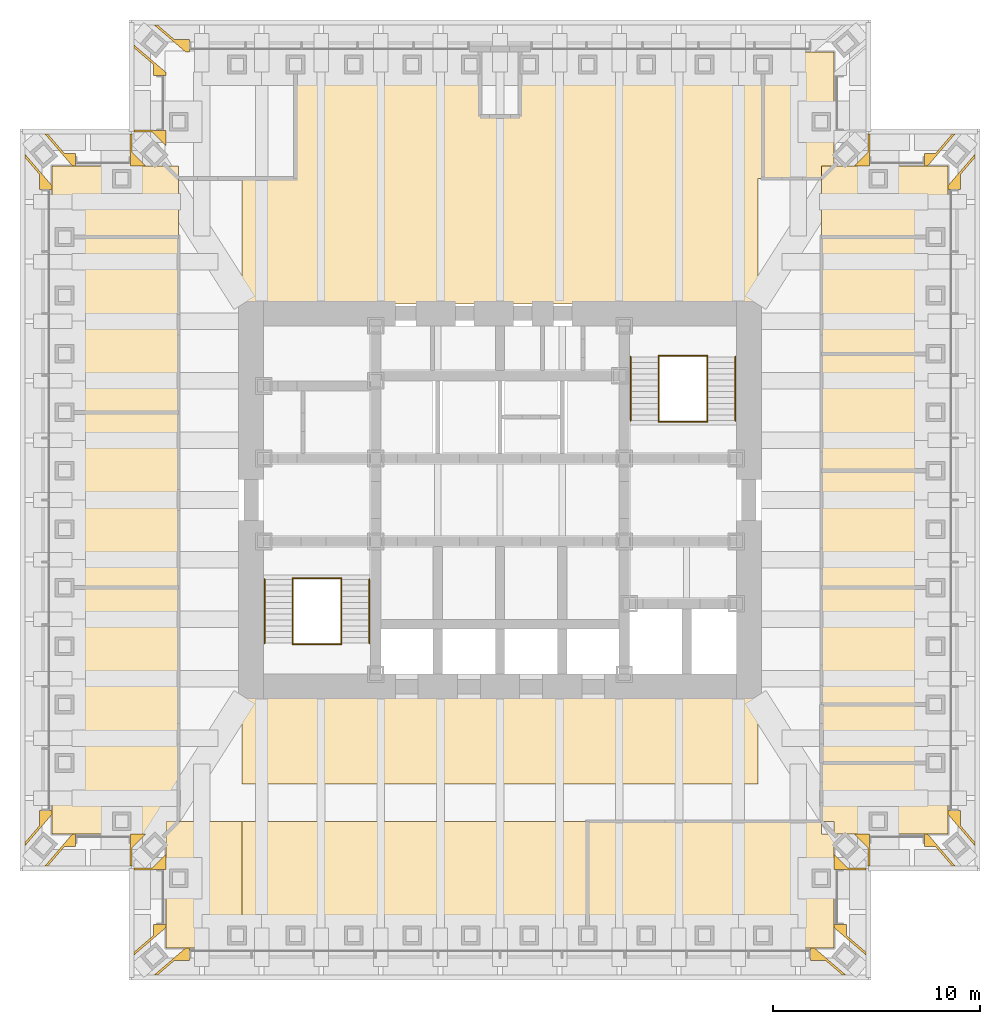
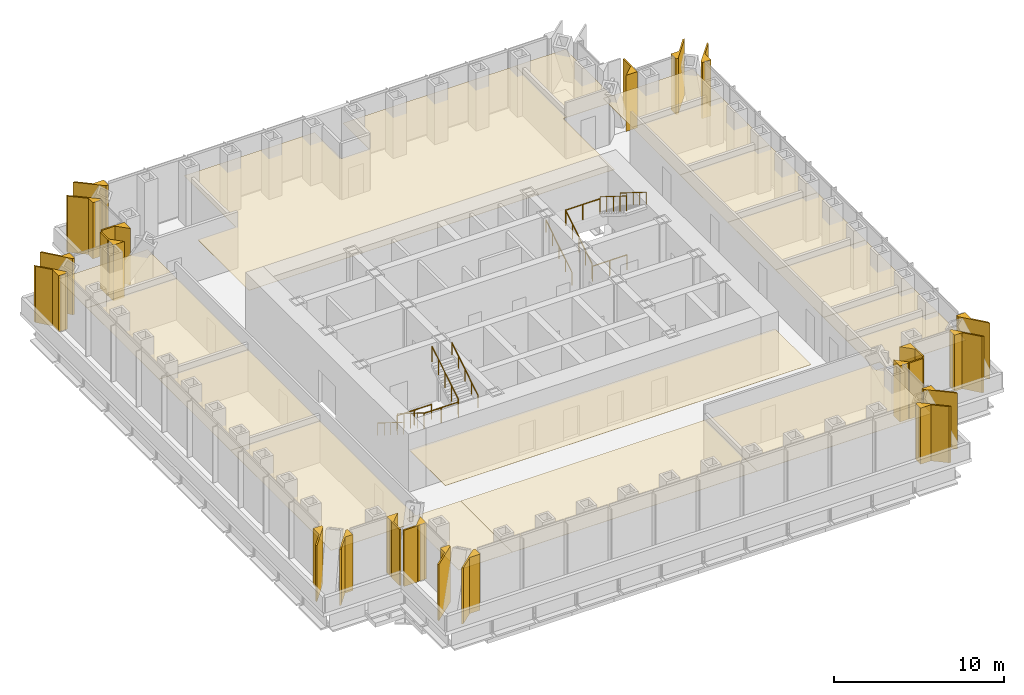
# One storey, part 11 of 12: 38 coverings, 12 railings.
"""IFC4 building model written with IfcOpenShell, lengths in metres."""

from ifc_helpers import new_model, si_unit, direction, frame, origin, origin_2d, place, context, subcontext, project, spatial, polyline, circle, outline, extrude, material, layer, layer_set, type_object, element, save


model = new_model("IFC4")

# Units and contexts
model_context = context("Model", 3, precision=1e-05, world=origin(), true_north=direction((0.0, 1.0)))
body_context = subcontext(model_context, "Body", "Model", "MODEL_VIEW")
ifc_project = project(units=[si_unit("LENGTHUNIT", "METRE"), si_unit("AREAUNIT", "SQUARE_METRE"), si_unit("VOLUMEUNIT", "CUBIC_METRE"), si_unit("PLANEANGLEUNIT", "RADIAN"), si_unit("MASSUNIT", "GRAM", prefix="KILO")], contexts=[model_context])

# Site, building, storey
site_placement = place(None, origin())
site = spatial("IfcSite", under=ifc_project, at=site_placement, CompositionType="ELEMENT")
building_placement = place(site_placement, origin())
building = spatial("IfcBuilding", under=site, at=building_placement, Name="Daluyong Arena Tower", CompositionType="ELEMENT")
storey_placement = place(building_placement, frame((0.0, 0.0, 181.300048828125)))
storey = spatial("IfcBuildingStorey", under=building, at=storey_placement, Name="L40", CompositionType="ELEMENT", Elevation=181.300048828125)

# Coverings
ifc_material_1 = material(Name="Mineral fibre ceiling tile", Category="gypsum board")
ifc_layer_1 = layer(ifc_material_1, 0.02001953125)
ifc_layer_set_1 = layer_set([ifc_layer_1], Name="Mineral fibre ceiling tile")
covering_type_1 = type_object("IfcCoveringType", Name="Office ceiling", PredefinedType="CEILING", material=ifc_layer_set_1)
covering_1_placement = place(storey_placement, frame((0.0, 0.0, 2.89990234375)))
element("IfcCovering", 1, at=covering_1_placement, inside=storey, type_object=covering_type_1, Name="ceiling L40-01", PredefinedType="CEILING", context=body_context, shape_type="SweptSolid", body=[
    extrude(outline(polyline([(72.10009765625, 58.39990234375), (72.10009765625, 63.89990234375), (71.5, 63.89990234375), (71.5, 64.5), (60.227294921875, 64.5), (60.227294921875, 58.39990234375), (72.10009765625, 58.39990234375)])), origin(), (0.0, 0.0, 1.0), 0.02001953125),
])
covering_2_placement = place(storey_placement, frame((0.0, 0.0, 2.89990234375)))
element("IfcCovering", 2, at=covering_2_placement, inside=storey, type_object=covering_type_1, Name="ceiling L40-02", PredefinedType="CEILING", context=body_context, shape_type="SweptSolid", body=[
    extrude(outline(polyline([(72.10009765625, 63.89990234375), (77.60009765625, 63.89990234375), (77.60009765625, 67.318115234375), (71.5, 67.318115234375), (71.5, 64.5), (72.10009765625, 64.5), (72.10009765625, 63.89990234375)])), origin(), (0.0, 0.0, 1.0), 0.02001953125),
])
covering_3_placement = place(storey_placement, frame((0.0, 0.0, 2.89990234375)))
element("IfcCovering", 3, at=covering_3_placement, inside=storey, type_object=covering_type_1, Name="ceiling L40-03", PredefinedType="CEILING", context=body_context, shape_type="SweptSolid", body=[
    extrude(outline(polyline([(71.5, 67.318115234375), (77.60009765625, 67.318115234375), (77.60009765625, 70.136474609375), (71.5, 70.136474609375), (71.5, 67.318115234375)])), origin(), (0.0, 0.0, 1.0), 0.02001953125),
])
covering_4_placement = place(storey_placement, frame((0.0, 0.0, 2.89990234375)))
element("IfcCovering", 4, at=covering_4_placement, inside=storey, type_object=covering_type_1, Name="ceiling L40-04", PredefinedType="CEILING", context=body_context, shape_type="SweptSolid", body=[
    extrude(outline(polyline([(71.5, 70.136474609375), (77.60009765625, 70.136474609375), (77.60009765625, 75.772705078125), (71.5, 75.772705078125), (71.5, 70.136474609375)])), origin(), (0.0, 0.0, 1.0), 0.02001953125),
])
covering_5_placement = place(storey_placement, frame((0.0, 0.0, 2.89990234375)))
element("IfcCovering", 5, at=covering_5_placement, inside=storey, type_object=covering_type_1, Name="ceiling L40-05", PredefinedType="CEILING", context=body_context, shape_type="SweptSolid", body=[
    extrude(outline(polyline([(71.5, 75.772705078125), (77.60009765625, 75.772705078125), (77.60009765625, 81.4091796875), (71.5, 81.4091796875), (71.5, 75.772705078125)])), origin(), (0.0, 0.0, 1.0), 0.02001953125),
])
covering_6_placement = place(storey_placement, frame((0.0, 0.0, 2.89990234375)))
element("IfcCovering", 6, at=covering_6_placement, inside=storey, type_object=covering_type_1, Name="ceiling L40-06", PredefinedType="CEILING", context=body_context, shape_type="SweptSolid", body=[
    extrude(outline(polyline([(71.5, 81.4091796875), (77.60009765625, 81.4091796875), (77.60009765625, 87.04541015625), (71.5, 87.04541015625), (71.5, 81.4091796875)])), origin(), (0.0, 0.0, 1.0), 0.02001953125),
])
covering_7_placement = place(storey_placement, frame((0.0, 0.0, 2.89990234375)))
element("IfcCovering", 7, at=covering_7_placement, inside=storey, type_object=covering_type_1, Name="ceiling L40-07", PredefinedType="CEILING", context=body_context, shape_type="SweptSolid", body=[
    extrude(outline(polyline([(71.5, 87.04541015625), (77.60009765625, 87.04541015625), (77.60009765625, 92.681884765625), (71.5, 92.681884765625), (71.5, 87.04541015625)])), origin(), (0.0, 0.0, 1.0), 0.02001953125),
])
covering_8_placement = place(storey_placement, frame((0.0, 0.0, 2.89990234375)))
element("IfcCovering", 8, at=covering_8_placement, inside=storey, type_object=covering_type_1, Name="ceiling L40-09", PredefinedType="CEILING", context=body_context, shape_type="SweptSolid", body=[
    extrude(outline(polyline([(68.681884765625, 95.5), (71.5, 95.5), (71.5, 96.10009765625), (72.10009765625, 96.10009765625), (72.10009765625, 101.60009765625), (68.681884765625, 101.60009765625), (68.681884765625, 95.5)])), origin(), (0.0, 0.0, 1.0), 0.02001953125),
])
covering_9_placement = place(storey_placement, frame((0.0, 0.0, 2.89990234375)))
element("IfcCovering", 9, at=covering_9_placement, inside=storey, type_object=covering_type_1, Name="ceiling L40-10", PredefinedType="CEILING", context=body_context, shape_type="SweptSolid", body=[
    extrude(outline(polyline([(34.39990234375, 63.89990234375), (39.89990234375, 63.89990234375), (39.89990234375, 64.5), (40.5, 64.5), (40.5, 75.772705078125), (34.39990234375, 75.772705078125), (34.39990234375, 63.89990234375)])), origin(), (0.0, 0.0, 1.0), 0.02001953125),
])
covering_10_placement = place(storey_placement, frame((0.0, 0.0, 2.89990234375)))
element("IfcCovering", 10, at=covering_10_placement, inside=storey, type_object=covering_type_1, Name="ceiling L40-11", PredefinedType="CEILING", context=body_context, shape_type="SweptSolid", body=[
    extrude(outline(polyline([(40.5, 84.227294921875), (34.39990234375, 84.227294921875), (34.39990234375, 75.772705078125), (40.5, 75.772705078125), (40.5, 84.227294921875)])), origin(), (0.0, 0.0, 1.0), 0.02001953125),
])
covering_11_placement = place(storey_placement, frame((0.0, 0.0, 2.89990234375)))
element("IfcCovering", 11, at=covering_11_placement, inside=storey, type_object=covering_type_1, Name="ceiling L40-12", PredefinedType="CEILING", context=body_context, shape_type="SweptSolid", body=[
    extrude(outline(polyline([(40.5, 92.681884765625), (34.39990234375, 92.681884765625), (34.39990234375, 84.227294921875), (40.5, 84.227294921875), (40.5, 92.681884765625)])), origin(), (0.0, 0.0, 1.0), 0.02001953125),
])
covering_12_placement = place(storey_placement, frame((0.0, 0.0, 2.89990234375)))
element("IfcCovering", 12, at=covering_12_placement, inside=storey, type_object=covering_type_1, Name="ceiling L40-16", PredefinedType="CEILING", context=body_context, shape_type="SweptSolid", body=[
    extrude(outline(polyline([(43.550048828125, 58.39990234375), (60.227294921875, 58.39990234375), (60.227294921875, 64.5), (43.550048828125, 64.5), (43.550048828125, 58.39990234375)])), origin(), (0.0, 0.0, 1.0), 0.02001953125),
])
covering_13_placement = place(storey_placement, frame((0.0, 0.0, 2.89990234375)))
element("IfcCovering", 13, at=covering_13_placement, inside=storey, type_object=covering_type_1, Name="ceiling L40-17", PredefinedType="CEILING", context=body_context, shape_type="SweptSolid", body=[
    extrude(outline(polyline([(68.449951171875, 70.550048828125), (43.550048828125, 70.550048828125), (43.550048828125, 66.300048828125), (68.449951171875, 66.300048828125), (68.449951171875, 70.550048828125)])), origin(), (0.0, 0.0, 1.0), 0.02001953125),
])
covering_14_placement = place(storey_placement, frame((0.0, 0.0, 2.89990234375)))
element("IfcCovering", 14, at=covering_14_placement, inside=storey, type_object=covering_type_1, Name="ceiling L40-18", PredefinedType="CEILING", context=body_context, shape_type="SweptSolid", body=[
    extrude(outline(polyline([(77.60009765625, 96.10009765625), (71.5, 96.10009765625), (71.5, 92.681884765625), (77.60009765625, 92.681884765625), (77.60009765625, 96.10009765625)])), origin(), (0.0, 0.0, 1.0), 0.02001953125),
])
covering_15_placement = place(storey_placement, frame((0.0, 0.0, 2.89990234375)))
element("IfcCovering", 15, at=covering_15_placement, inside=storey, type_object=covering_type_1, Name="ceiling L40-19", PredefinedType="CEILING", context=body_context, shape_type="SweptSolid", body=[
    extrude(outline(polyline([(43.56005859375, 95.489990234375), (43.56005859375, 89.4599609375), (68.43994140625, 89.4599609375), (68.43994140625, 95.5), (68.681884765625, 95.500244140625), (68.681884765625, 101.60009765625), (68.4501953125, 101.60009765625), (68.449462890625, 101.590087890625), (56.958984375, 101.590087890625), (56.958984375, 98.5), (55.041015625, 98.5), (55.041015625, 101.590087890625), (46.146484375, 101.590087890625), (46.146484375, 95.489990234375), (43.56005859375, 95.489990234375)])), origin(), (0.0, 0.0, 1.0), 0.02001953125),
])
covering_16_placement = place(storey_placement, frame((0.0, 0.0, 2.89990234375)))
element("IfcCovering", 16, at=covering_16_placement, inside=storey, type_object=covering_type_1, Name="ceiling L40-20", PredefinedType="CEILING", context=body_context, shape_type="SweptSolid", body=[
    extrude(outline(polyline([(40.5, 92.681884765625), (40.5, 96.10009765625), (34.39990234375, 96.10009765625), (34.39990234375, 92.681884765625), (40.5, 92.681884765625)])), origin(), (0.0, 0.0, 1.0), 0.02001953125),
])
covering_17_placement = place(storey_placement, frame((0.0, 0.0, 2.89990234375)))
element("IfcCovering", 17, at=covering_17_placement, inside=storey, type_object=covering_type_1, Name="ceiling L40-21", PredefinedType="CEILING", context=body_context, shape_type="SweptSolid", body=[
    extrude(outline(polyline([(39.89990234375, 58.39990234375), (43.550048828125, 58.39990234375), (43.550048828125, 64.5), (39.89990234375, 64.5), (39.89990234375, 58.39990234375)])), origin(), (0.0, 0.0, 1.0), 0.02001953125),
])

# Railings
ifc_material_2 = material(Name="Stainless steel handrail", Category="steel")
railing_type_1 = type_object("IfcRailingType", Name="Stair handrail", PredefinedType="HANDRAIL", material=ifc_material_2)
railing_1_placement = place(storey_placement, frame((44.64990234375, 76.175048828125, 0.175048828125)))
element("IfcRailing", 18, at=railing_1_placement, inside=storey, type_object=railing_type_1, Name="exit stair A handrail L40", PredefinedType="HANDRAIL", context=body_context, shape_type="SweptSolid", body=[
    extrude(circle(Radius=0.02392578125, at=origin_2d()), frame((0.0, 0.0, 0.8759765625), z_axis=(0.0, -0.848028513186, 0.529950602248), x_axis=(1.0, 0.0, 0.0)), (0.0, 0.0, 1.0), 3.632080078125),
    extrude(circle(Radius=0.02099609375, at=origin_2d()), origin(), (0.0, 0.0, 1.0), 0.851806640625),
    extrude(circle(Radius=0.02099609375, at=origin_2d()), frame((0.0, -0.77001953125, 0.481201171875)), (0.0, 0.0, 1.0), 0.851806640625),
    extrude(circle(Radius=0.02099609375, at=origin_2d()), frame((0.0, -1.5400390625, 0.96240234375)), (0.0, 0.0, 1.0), 0.851806640625),
    extrude(circle(Radius=0.02099609375, at=origin_2d()), frame((0.0, -2.31005859375, 1.443603515625)), (0.0, 0.0, 1.0), 0.851806640625),
    extrude(circle(Radius=0.02099609375, at=origin_2d()), frame((0.0, -3.080078125, 1.9248046875)), (0.0, 0.0, 1.0), 0.851806640625),
])
railing_2_placement = place(storey_placement, frame((49.699951171875, 73.094970703125, 2.27490234375)))
element("IfcRailing", 19, at=railing_2_placement, inside=storey, type_object=railing_type_1, Name="exit stair A handrail L40", PredefinedType="HANDRAIL", context=body_context, shape_type="SweptSolid", body=[
    extrude(circle(Radius=0.02392578125, at=origin_2d()), frame((0.0, 0.0, 0.8759765625), z_axis=(0.0, 0.847998304005, 0.529998940003), x_axis=(-1.0, 0.0, 0.0)), (0.0, 0.0, 1.0), 3.632080078125),
    extrude(circle(Radius=0.02099609375, at=origin_2d()), origin(), (0.0, 0.0, 1.0), 0.851806640625),
    extrude(circle(Radius=0.02099609375, at=origin_2d()), frame((0.0, 0.77001953125, 0.481201171875)), (0.0, 0.0, 1.0), 0.851806640625),
    extrude(circle(Radius=0.02099609375, at=origin_2d()), frame((0.0, 1.5400390625, 0.96240234375)), (0.0, 0.0, 1.0), 0.851806640625),
    extrude(circle(Radius=0.02099609375, at=origin_2d()), frame((0.0, 2.31005859375, 1.44384765625)), (0.0, 0.0, 1.0), 0.851806640625),
    extrude(circle(Radius=0.02099609375, at=origin_2d()), frame((0.0, 3.080078125, 1.925048828125)), (0.0, 0.0, 1.0), 0.851806640625),
])
railing_3_placement = place(storey_placement, frame((62.300048828125, 83.824951171875, 0.175048828125)))
element("IfcRailing", 20, at=railing_3_placement, inside=storey, type_object=railing_type_1, Name="exit stair B handrail L40", PredefinedType="HANDRAIL", context=body_context, shape_type="SweptSolid", body=[
    extrude(circle(Radius=0.02392578125, at=origin_2d()), frame((0.0, 0.0, 0.8759765625), z_axis=(0.0, 0.848028513186, 0.529950602248), x_axis=(-1.0, 0.0, 0.0)), (0.0, 0.0, 1.0), 3.632080078125),
    extrude(circle(Radius=0.02099609375, at=origin_2d()), origin(), (0.0, 0.0, 1.0), 0.851806640625),
    extrude(circle(Radius=0.02099609375, at=origin_2d()), frame((0.0, 0.77001953125, 0.481201171875)), (0.0, 0.0, 1.0), 0.851806640625),
    extrude(circle(Radius=0.02099609375, at=origin_2d()), frame((0.0, 1.5400390625, 0.96240234375)), (0.0, 0.0, 1.0), 0.851806640625),
    extrude(circle(Radius=0.02099609375, at=origin_2d()), frame((0.0, 2.31005859375, 1.443603515625)), (0.0, 0.0, 1.0), 0.851806640625),
    extrude(circle(Radius=0.02099609375, at=origin_2d()), frame((0.0, 3.080078125, 1.9248046875)), (0.0, 0.0, 1.0), 0.851806640625),
])
railing_4_placement = place(storey_placement, frame((67.35009765625, 86.905029296875, 2.27490234375)))
element("IfcRailing", 21, at=railing_4_placement, inside=storey, type_object=railing_type_1, Name="exit stair B handrail L40", PredefinedType="HANDRAIL", context=body_context, shape_type="SweptSolid", body=[
    extrude(circle(Radius=0.02392578125, at=origin_2d()), frame((0.0, 0.0, 0.8759765625), z_axis=(0.0, -0.847998304005, 0.529998940003), x_axis=(1.0, 0.0, 0.0)), (0.0, 0.0, 1.0), 3.632080078125),
    extrude(circle(Radius=0.02099609375, at=origin_2d()), origin(), (0.0, 0.0, 1.0), 0.851806640625),
    extrude(circle(Radius=0.02099609375, at=origin_2d()), frame((0.0, -0.77001953125, 0.481201171875)), (0.0, 0.0, 1.0), 0.851806640625),
    extrude(circle(Radius=0.02099609375, at=origin_2d()), frame((0.0, -1.5400390625, 0.96240234375)), (0.0, 0.0, 1.0), 0.851806640625),
    extrude(circle(Radius=0.02099609375, at=origin_2d()), frame((0.0, -2.31005859375, 1.44384765625)), (0.0, 0.0, 1.0), 0.851806640625),
    extrude(circle(Radius=0.02099609375, at=origin_2d()), frame((0.0, -3.080078125, 1.925048828125)), (0.0, 0.0, 1.0), 0.851806640625),
])
ifc_material_3 = material(Name="Steel balustrade", Category="steel")
railing_type_2 = type_object("IfcRailingType", Name="Stair well guard 1100", PredefinedType="GUARDRAIL", material=ifc_material_3)
railing_5_placement = place(storey_placement, frame((46.0, 76.175048828125, 0.175048828125)))
element("IfcRailing", 22, at=railing_5_placement, inside=storey, type_object=railing_type_2, Name="exit stair A well guard L40", PredefinedType="GUARDRAIL", context=body_context, shape_type="SweptSolid", body=[
    extrude(circle(Radius=0.02392578125, at=origin_2d()), frame((0.0, 0.0, 1.076171875), z_axis=(0.0, -0.848028513186, 0.529950602248), x_axis=(1.0, 0.0, 0.0)), (0.0, 0.0, 1.0), 3.632080078125),
    extrude(circle(Radius=0.02099609375, at=origin_2d()), origin(), (0.0, 0.0, 1.0), 1.052001953125),
    extrude(circle(Radius=0.02099609375, at=origin_2d()), frame((0.0, -0.77001953125, 0.481201171875)), (0.0, 0.0, 1.0), 1.052001953125),
    extrude(circle(Radius=0.02099609375, at=origin_2d()), frame((0.0, -1.5400390625, 0.96240234375)), (0.0, 0.0, 1.0), 1.052001953125),
    extrude(circle(Radius=0.02099609375, at=origin_2d()), frame((0.0, -2.31005859375, 1.443603515625)), (0.0, 0.0, 1.0), 1.052001953125),
    extrude(circle(Radius=0.02099609375, at=origin_2d()), frame((0.0, -3.080078125, 1.9248046875)), (0.0, 0.0, 1.0), 1.052001953125),
])
railing_6_placement = place(storey_placement, frame((48.35009765625, 73.094970703125, 2.27490234375)))
element("IfcRailing", 23, at=railing_6_placement, inside=storey, type_object=railing_type_2, Name="exit stair A well guard L40", PredefinedType="GUARDRAIL", context=body_context, shape_type="SweptSolid", body=[
    extrude(circle(Radius=0.02392578125, at=origin_2d()), frame((0.0, 0.0, 1.076171875), z_axis=(0.0, 0.847998304005, 0.529998940003), x_axis=(-1.0, 0.0, 0.0)), (0.0, 0.0, 1.0), 3.632080078125),
    extrude(circle(Radius=0.02099609375, at=origin_2d()), origin(), (0.0, 0.0, 1.0), 1.052001953125),
    extrude(circle(Radius=0.02099609375, at=origin_2d()), frame((0.0, 0.77001953125, 0.481201171875)), (0.0, 0.0, 1.0), 1.052001953125),
    extrude(circle(Radius=0.02099609375, at=origin_2d()), frame((0.0, 1.5400390625, 0.96240234375)), (0.0, 0.0, 1.0), 1.052001953125),
    extrude(circle(Radius=0.02099609375, at=origin_2d()), frame((0.0, 2.31005859375, 1.44384765625)), (0.0, 0.0, 1.0), 1.052001953125),
    extrude(circle(Radius=0.02099609375, at=origin_2d()), frame((0.0, 3.080078125, 1.925048828125)), (0.0, 0.0, 1.0), 1.052001953125),
])
for number, where, name in (
    (24, (46.0, 73.044921875, 2.099853515625), "exit stair A landing guard L40"),
    (25, (46.0, 76.22509765625, 0.0), "exit stair A floor landing guard L40"),
):
    element("IfcRailing", number, at=place(storey_placement, frame(where)), inside=storey, type_object=railing_type_2, Name=name, PredefinedType="GUARDRAIL", context=body_context, shape_type="SweptSolid", body=[
        extrude(circle(Radius=0.02392578125, at=origin_2d()), frame((0.0, 0.0, 1.076171875), z_axis=(1.0, 0.0, 0.0), x_axis=(0.0, 1.0, 0.0)), (0.0, 0.0, 1.0), 2.35009765625),
        extrude(circle(Radius=0.02099609375, at=origin_2d()), origin(), (0.0, 0.0, 1.0), 1.052001953125),
        extrude(circle(Radius=0.02099609375, at=origin_2d()), frame((1.175048828125, 0.0, 0.0)), (0.0, 0.0, 1.0), 1.052001953125),
        extrude(circle(Radius=0.02099609375, at=origin_2d()), frame((2.35009765625, 0.0, 0.0)), (0.0, 0.0, 1.0), 1.052001953125),
    ])
railing_7_placement = place(storey_placement, frame((63.64990234375, 83.824951171875, 0.175048828125)))
element("IfcRailing", 26, at=railing_7_placement, inside=storey, type_object=railing_type_2, Name="exit stair B well guard L40", PredefinedType="GUARDRAIL", context=body_context, shape_type="SweptSolid", body=[
    extrude(circle(Radius=0.02392578125, at=origin_2d()), frame((0.0, 0.0, 1.076171875), z_axis=(0.0, 0.848028513186, 0.529950602248), x_axis=(-1.0, 0.0, 0.0)), (0.0, 0.0, 1.0), 3.632080078125),
    extrude(circle(Radius=0.02099609375, at=origin_2d()), origin(), (0.0, 0.0, 1.0), 1.052001953125),
    extrude(circle(Radius=0.02099609375, at=origin_2d()), frame((0.0, 0.77001953125, 0.481201171875)), (0.0, 0.0, 1.0), 1.052001953125),
    extrude(circle(Radius=0.02099609375, at=origin_2d()), frame((0.0, 1.5400390625, 0.96240234375)), (0.0, 0.0, 1.0), 1.052001953125),
    extrude(circle(Radius=0.02099609375, at=origin_2d()), frame((0.0, 2.31005859375, 1.443603515625)), (0.0, 0.0, 1.0), 1.052001953125),
    extrude(circle(Radius=0.02099609375, at=origin_2d()), frame((0.0, 3.080078125, 1.9248046875)), (0.0, 0.0, 1.0), 1.052001953125),
])
railing_8_placement = place(storey_placement, frame((66.0, 86.905029296875, 2.27490234375)))
element("IfcRailing", 27, at=railing_8_placement, inside=storey, type_object=railing_type_2, Name="exit stair B well guard L40", PredefinedType="GUARDRAIL", context=body_context, shape_type="SweptSolid", body=[
    extrude(circle(Radius=0.02392578125, at=origin_2d()), frame((0.0, 0.0, 1.076171875), z_axis=(0.0, -0.847998304005, 0.529998940003), x_axis=(1.0, 0.0, 0.0)), (0.0, 0.0, 1.0), 3.632080078125),
    extrude(circle(Radius=0.02099609375, at=origin_2d()), origin(), (0.0, 0.0, 1.0), 1.052001953125),
    extrude(circle(Radius=0.02099609375, at=origin_2d()), frame((0.0, -0.77001953125, 0.481201171875)), (0.0, 0.0, 1.0), 1.052001953125),
    extrude(circle(Radius=0.02099609375, at=origin_2d()), frame((0.0, -1.5400390625, 0.96240234375)), (0.0, 0.0, 1.0), 1.052001953125),
    extrude(circle(Radius=0.02099609375, at=origin_2d()), frame((0.0, -2.31005859375, 1.44384765625)), (0.0, 0.0, 1.0), 1.052001953125),
    extrude(circle(Radius=0.02099609375, at=origin_2d()), frame((0.0, -3.080078125, 1.925048828125)), (0.0, 0.0, 1.0), 1.052001953125),
])
for number, where, name in (
    (28, (63.64990234375, 86.955078125, 2.099853515625), "exit stair B landing guard L40"),
    (29, (63.64990234375, 83.77490234375, 0.0), "exit stair B floor landing guard L40"),
):
    element("IfcRailing", number, at=place(storey_placement, frame(where)), inside=storey, type_object=railing_type_2, Name=name, PredefinedType="GUARDRAIL", context=body_context, shape_type="SweptSolid", body=[
        extrude(circle(Radius=0.02392578125, at=origin_2d()), frame((0.0, 0.0, 1.076171875), z_axis=(1.0, 0.0, 0.0), x_axis=(0.0, 1.0, 0.0)), (0.0, 0.0, 1.0), 2.35009765625),
        extrude(circle(Radius=0.02099609375, at=origin_2d()), origin(), (0.0, 0.0, 1.0), 1.052001953125),
        extrude(circle(Radius=0.02099609375, at=origin_2d()), frame((1.175048828125, 0.0, 0.0)), (0.0, 0.0, 1.0), 1.052001953125),
        extrude(circle(Radius=0.02099609375, at=origin_2d()), frame((2.35009765625, 0.0, 0.0)), (0.0, 0.0, 1.0), 1.052001953125),
    ])

# Coverings
ifc_material_4 = material(Name="Bronze anodised aluminium cladding", Category="aluminium")
ifc_layer_2 = layer(ifc_material_4, 0.10009765625)
ifc_layer_set_2 = layer_set([ifc_layer_2], Name="Bronze anodised aluminium cladding")
covering_type_2 = type_object("IfcCoveringType", Name="Transition column casing 100", PredefinedType="CLADDING", material=ifc_layer_set_2)
covering_18_placement = place(storey_placement, origin())
element("IfcCovering", 30, at=covering_18_placement, inside=storey, type_object=covering_type_2, Name="transition column casing L40 1", PredefinedType="CLADDING", context=body_context, shape_type="SweptSolid", body=[
    extrude(outline(polyline([(39.300048828125, 59.004638671875), (39.300048828125, 59.529052734375), (39.89990234375, 59.529052734375), (39.89990234375, 59.38720703125), (38.35009765625, 58.05859375), (38.35009765625, 58.1904296875), (39.300048828125, 59.004638671875)])), origin(), (0.0, 0.0, 1.0), 4.0400390625),
])
covering_19_placement = place(storey_placement, origin())
element("IfcCovering", 31, at=covering_19_placement, inside=storey, type_object=covering_type_2, Name="transition column casing L40 2", PredefinedType="CLADDING", context=body_context, shape_type="SweptSolid", body=[
    extrude(outline(polyline([(40.851806640625, 58.39990234375), (41.015380859375, 58.39990234375), (41.015380859375, 57.800048828125), (40.305419921875, 57.800048828125), (39.48876953125, 57.10009765625), (39.335205078125, 57.10009765625), (40.851806640625, 58.39990234375)])), origin(), (0.0, 0.0, 1.0), 4.0400390625),
])
covering_20_placement = place(storey_placement, origin())
element("IfcCovering", 32, at=covering_20_placement, inside=storey, type_object=covering_type_2, Name="transition column casing L40 1", PredefinedType="CLADDING", context=body_context, shape_type="SweptSolid", body=[
    extrude(outline(polyline([(70.984619140625, 58.39990234375), (71.148193359375, 58.39990234375), (72.664794921875, 57.10009765625), (72.51123046875, 57.10009765625), (71.694580078125, 57.800048828125), (70.984619140625, 57.800048828125), (70.984619140625, 58.39990234375)])), origin(), (0.0, 0.0, 1.0), 4.0400390625),
])
covering_21_placement = place(storey_placement, origin())
element("IfcCovering", 33, at=covering_21_placement, inside=storey, type_object=covering_type_2, Name="transition column casing L40 2", PredefinedType="CLADDING", context=body_context, shape_type="SweptSolid", body=[
    extrude(outline(polyline([(72.10009765625, 59.38720703125), (72.10009765625, 59.529052734375), (72.699951171875, 59.529052734375), (72.699951171875, 59.004638671875), (73.64990234375, 58.1904296875), (73.64990234375, 58.05859375), (72.10009765625, 59.38720703125)])), origin(), (0.0, 0.0, 1.0), 4.0400390625),
])
covering_22_placement = place(storey_placement, origin())
element("IfcCovering", 34, at=covering_22_placement, inside=storey, type_object=covering_type_2, Name="transition column casing L40 1", PredefinedType="CLADDING", context=body_context, shape_type="SweptSolid", body=[
    extrude(outline(polyline([(72.73779296875, 62.14990234375), (72.699951171875, 62.18798828125), (72.699951171875, 62.177978515625), (72.10009765625, 62.177978515625), (72.10009765625, 62.92919921875), (72.779296875, 62.25), (73.64990234375, 62.25), (73.64990234375, 62.14990234375), (72.73779296875, 62.14990234375)])), origin(), (0.0, 0.0, 1.0), 4.0400390625),
])
covering_23_placement = place(storey_placement, origin())
element("IfcCovering", 35, at=covering_23_placement, inside=storey, type_object=covering_type_2, Name="transition column casing L40 2", PredefinedType="CLADDING", context=body_context, shape_type="SweptSolid", body=[
    extrude(outline(polyline([(73.822021484375, 63.89990234375), (73.822021484375, 63.300048828125), (73.81201171875, 63.300048828125), (73.85009765625, 63.26220703125), (73.85009765625, 62.35009765625), (73.75, 62.35009765625), (73.75, 63.220703125), (73.07080078125, 63.89990234375), (73.822021484375, 63.89990234375)])), origin(), (0.0, 0.0, 1.0), 4.0400390625),
])
covering_24_placement = place(storey_placement, origin())
element("IfcCovering", 36, at=covering_24_placement, inside=storey, type_object=covering_type_2, Name="transition column casing L40 1", PredefinedType="CLADDING", context=body_context, shape_type="SweptSolid", body=[
    extrude(outline(polyline([(76.470947265625, 63.89990234375), (76.61279296875, 63.89990234375), (77.94140625, 62.35009765625), (77.8095703125, 62.35009765625), (76.995361328125, 63.300048828125), (76.470947265625, 63.300048828125), (76.470947265625, 63.89990234375)])), origin(), (0.0, 0.0, 1.0), 4.0400390625),
])
covering_25_placement = place(storey_placement, origin())
element("IfcCovering", 37, at=covering_25_placement, inside=storey, type_object=covering_type_2, Name="transition column casing L40 2", PredefinedType="CLADDING", context=body_context, shape_type="SweptSolid", body=[
    extrude(outline(polyline([(77.60009765625, 64.851806640625), (77.60009765625, 65.015380859375), (78.199951171875, 65.015380859375), (78.199951171875, 64.305419921875), (78.89990234375, 63.48876953125), (78.89990234375, 63.335205078125), (77.60009765625, 64.851806640625)])), origin(), (0.0, 0.0, 1.0), 4.0400390625),
])
covering_26_placement = place(storey_placement, origin())
element("IfcCovering", 38, at=covering_26_placement, inside=storey, type_object=covering_type_2, Name="transition column casing L40 1", PredefinedType="CLADDING", context=body_context, shape_type="SweptSolid", body=[
    extrude(outline(polyline([(76.470947265625, 96.10009765625), (76.470947265625, 96.699951171875), (76.995361328125, 96.699951171875), (77.8095703125, 97.64990234375), (77.94140625, 97.64990234375), (76.61279296875, 96.10009765625), (76.470947265625, 96.10009765625)])), origin(), (0.0, 0.0, 1.0), 4.0400390625),
])
covering_27_placement = place(storey_placement, origin())
element("IfcCovering", 39, at=covering_27_placement, inside=storey, type_object=covering_type_2, Name="transition column casing L40 2", PredefinedType="CLADDING", context=body_context, shape_type="SweptSolid", body=[
    extrude(outline(polyline([(78.199951171875, 95.694580078125), (78.199951171875, 94.984619140625), (77.60009765625, 94.984619140625), (77.60009765625, 95.148193359375), (78.89990234375, 96.664794921875), (78.89990234375, 96.51123046875), (78.199951171875, 95.694580078125)])), origin(), (0.0, 0.0, 1.0), 4.0400390625),
])
covering_28_placement = place(storey_placement, origin())
element("IfcCovering", 40, at=covering_28_placement, inside=storey, type_object=covering_type_2, Name="transition column casing L40 2", PredefinedType="CLADDING", context=body_context, shape_type="SweptSolid", body=[
    extrude(outline(polyline([(73.85009765625, 96.73779296875), (73.81201171875, 96.699951171875), (73.822021484375, 96.699951171875), (73.822021484375, 96.10009765625), (73.07080078125, 96.10009765625), (73.75, 96.779296875), (73.75, 97.64990234375), (73.85009765625, 97.64990234375), (73.85009765625, 96.73779296875)])), origin(), (0.0, 0.0, 1.0), 4.0400390625),
])
covering_29_placement = place(storey_placement, origin())
element("IfcCovering", 41, at=covering_29_placement, inside=storey, type_object=covering_type_2, Name="transition column casing L40 1", PredefinedType="CLADDING", context=body_context, shape_type="SweptSolid", body=[
    extrude(outline(polyline([(39.89990234375, 100.61279296875), (39.89990234375, 100.470947265625), (39.300048828125, 100.470947265625), (39.300048828125, 100.995361328125), (38.35009765625, 101.8095703125), (38.35009765625, 101.94140625), (39.89990234375, 100.61279296875)])), origin(), (0.0, 0.0, 1.0), 4.0400390625),
])
covering_30_placement = place(storey_placement, origin())
element("IfcCovering", 42, at=covering_30_placement, inside=storey, type_object=covering_type_2, Name="transition column casing L40 2", PredefinedType="CLADDING", context=body_context, shape_type="SweptSolid", body=[
    extrude(outline(polyline([(40.305419921875, 102.199951171875), (41.015380859375, 102.199951171875), (41.015380859375, 101.60009765625), (40.851806640625, 101.60009765625), (39.335205078125, 102.89990234375), (39.48876953125, 102.89990234375), (40.305419921875, 102.199951171875)])), origin(), (0.0, 0.0, 1.0), 4.0400390625),
])
covering_31_placement = place(storey_placement, origin())
element("IfcCovering", 43, at=covering_31_placement, inside=storey, type_object=covering_type_2, Name="transition column casing L40 1", PredefinedType="CLADDING", context=body_context, shape_type="SweptSolid", body=[
    extrude(outline(polyline([(38.177978515625, 96.699951171875), (38.18798828125, 96.699951171875), (38.14990234375, 96.73779296875), (38.14990234375, 97.64990234375), (38.25, 97.64990234375), (38.25, 96.779296875), (38.92919921875, 96.10009765625), (38.177978515625, 96.10009765625), (38.177978515625, 96.699951171875)])), origin(), (0.0, 0.0, 1.0), 4.0400390625),
])
covering_32_placement = place(storey_placement, origin())
element("IfcCovering", 44, at=covering_32_placement, inside=storey, type_object=covering_type_2, Name="transition column casing L40 2", PredefinedType="CLADDING", context=body_context, shape_type="SweptSolid", body=[
    extrude(outline(polyline([(39.26220703125, 97.85009765625), (39.300048828125, 97.81201171875), (39.300048828125, 97.822021484375), (39.89990234375, 97.822021484375), (39.89990234375, 97.07080078125), (39.220703125, 97.75), (38.35009765625, 97.75), (38.35009765625, 97.85009765625), (39.26220703125, 97.85009765625)])), origin(), (0.0, 0.0, 1.0), 4.0400390625),
])
covering_33_placement = place(storey_placement, origin())
element("IfcCovering", 45, at=covering_33_placement, inside=storey, type_object=covering_type_2, Name="transition column casing L40 1", PredefinedType="CLADDING", context=body_context, shape_type="SweptSolid", body=[
    extrude(outline(polyline([(34.39990234375, 95.148193359375), (34.39990234375, 94.984619140625), (33.800048828125, 94.984619140625), (33.800048828125, 95.694580078125), (33.10009765625, 96.51123046875), (33.10009765625, 96.664794921875), (34.39990234375, 95.148193359375)])), origin(), (0.0, 0.0, 1.0), 4.0400390625),
])
covering_34_placement = place(storey_placement, origin())
element("IfcCovering", 46, at=covering_34_placement, inside=storey, type_object=covering_type_2, Name="transition column casing L40 2", PredefinedType="CLADDING", context=body_context, shape_type="SweptSolid", body=[
    extrude(outline(polyline([(35.004638671875, 96.699951171875), (35.529052734375, 96.699951171875), (35.529052734375, 96.10009765625), (35.38720703125, 96.10009765625), (34.05859375, 97.64990234375), (34.1904296875, 97.64990234375), (35.004638671875, 96.699951171875)])), origin(), (0.0, 0.0, 1.0), 4.0400390625),
])
covering_35_placement = place(storey_placement, origin())
element("IfcCovering", 47, at=covering_35_placement, inside=storey, type_object=covering_type_2, Name="transition column casing L40 1", PredefinedType="CLADDING", context=body_context, shape_type="SweptSolid", body=[
    extrude(outline(polyline([(33.800048828125, 64.305419921875), (33.800048828125, 65.015380859375), (34.39990234375, 65.015380859375), (34.39990234375, 64.851806640625), (33.10009765625, 63.335205078125), (33.10009765625, 63.48876953125), (33.800048828125, 64.305419921875)])), origin(), (0.0, 0.0, 1.0), 4.0400390625),
])
covering_36_placement = place(storey_placement, origin())
element("IfcCovering", 48, at=covering_36_placement, inside=storey, type_object=covering_type_2, Name="transition column casing L40 2", PredefinedType="CLADDING", context=body_context, shape_type="SweptSolid", body=[
    extrude(outline(polyline([(35.38720703125, 63.89990234375), (35.529052734375, 63.89990234375), (35.529052734375, 63.300048828125), (35.004638671875, 63.300048828125), (34.1904296875, 62.35009765625), (34.05859375, 62.35009765625), (35.38720703125, 63.89990234375)])), origin(), (0.0, 0.0, 1.0), 4.0400390625),
])
covering_37_placement = place(storey_placement, origin())
element("IfcCovering", 49, at=covering_37_placement, inside=storey, type_object=covering_type_2, Name="transition column casing L40 1", PredefinedType="CLADDING", context=body_context, shape_type="SweptSolid", body=[
    extrude(outline(polyline([(38.14990234375, 63.26220703125), (38.18798828125, 63.300048828125), (38.177978515625, 63.300048828125), (38.177978515625, 63.89990234375), (38.92919921875, 63.89990234375), (38.25, 63.220703125), (38.25, 62.35009765625), (38.14990234375, 62.35009765625), (38.14990234375, 63.26220703125)])), origin(), (0.0, 0.0, 1.0), 4.0400390625),
])
covering_38_placement = place(storey_placement, origin())
element("IfcCovering", 50, at=covering_38_placement, inside=storey, type_object=covering_type_2, Name="transition column casing L40 2", PredefinedType="CLADDING", context=body_context, shape_type="SweptSolid", body=[
    extrude(outline(polyline([(39.220703125, 62.25), (39.89990234375, 62.92919921875), (39.89990234375, 62.177978515625), (39.300048828125, 62.177978515625), (39.300048828125, 62.18798828125), (39.26220703125, 62.14990234375), (38.35009765625, 62.14990234375), (38.35009765625, 62.25), (39.220703125, 62.25)])), origin(), (0.0, 0.0, 1.0), 4.0400390625),
])

save(model, "model.ifc")
